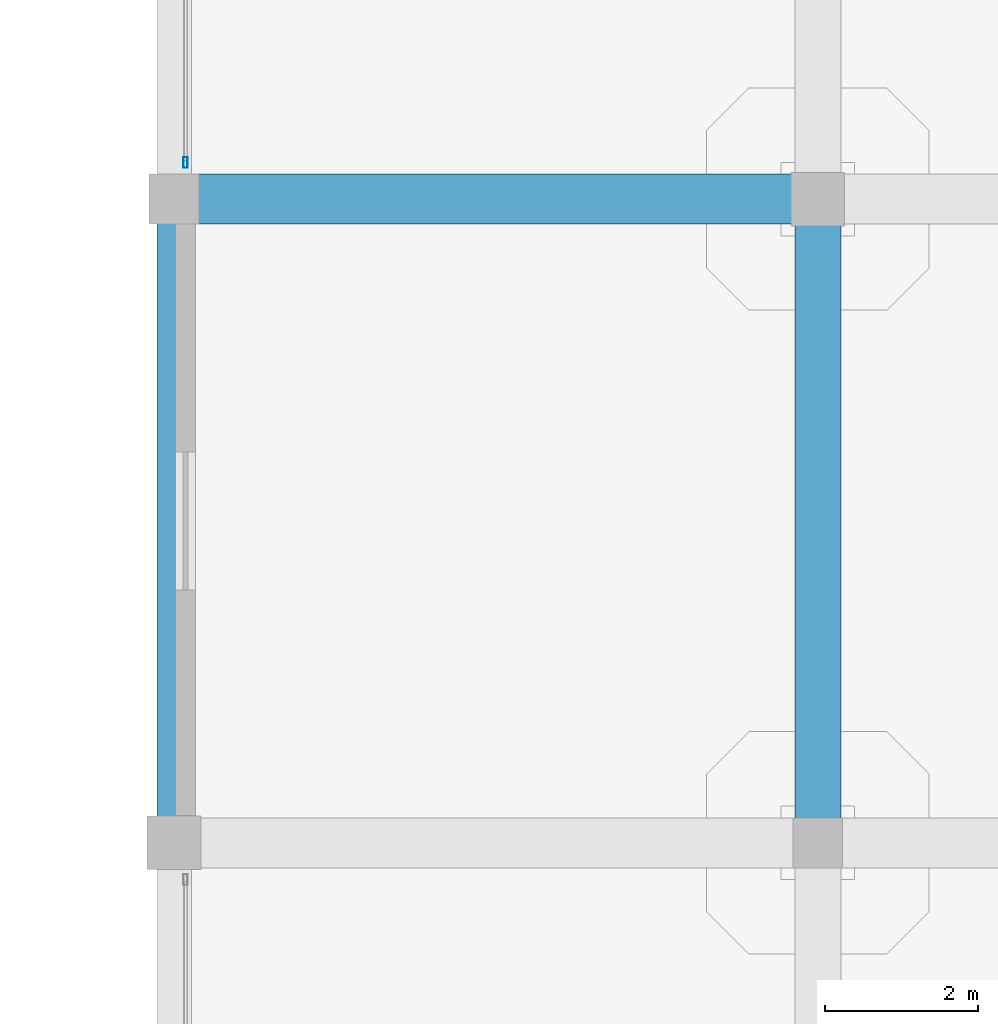
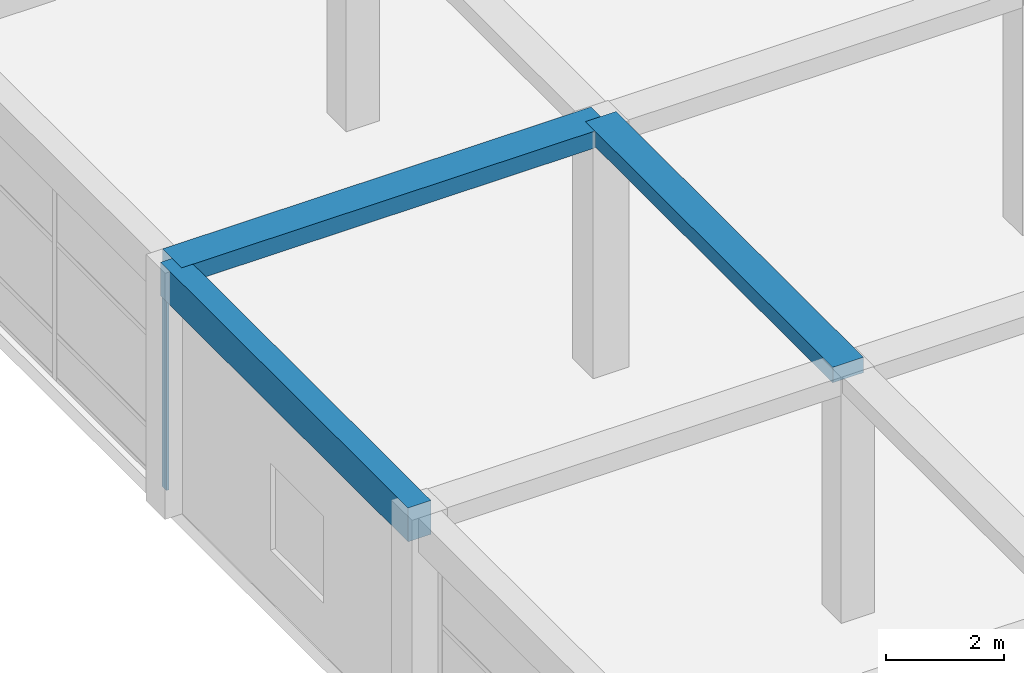
# One storey, part 18 of 95: 3 beams, 1 member, 1 element without a shape of its own.
"""IFC4 building model written with IfcOpenShell, lengths in metres."""

from ifc_helpers import new_model, si_unit, direction, frame, origin, origin_2d, place, context, subcontext, project, spatial, rectangle, hollow_rectangle, extrude, material, material_profile, profile_set, type_object, element, aggregate, save


model = new_model("IFC4")

# Units and contexts
model_context = context("Model", 3, precision=1e-05, world=origin(), true_north=direction((0.0, 1.0)))
body_context = subcontext(model_context, "Body", "Model", "MODEL_VIEW")
ifc_project = project(units=[si_unit("LENGTHUNIT", "METRE"), si_unit("AREAUNIT", "SQUARE_METRE"), si_unit("VOLUMEUNIT", "CUBIC_METRE"), si_unit("PLANEANGLEUNIT", "RADIAN"), si_unit("MASSUNIT", "GRAM", prefix="KILO")], contexts=[model_context])

# Site, building, storey
site_placement = place(None, origin())
site = spatial("IfcSite", under=ifc_project, at=site_placement, CompositionType="ELEMENT")
building_placement = place(site_placement, origin())
building = spatial("IfcBuilding", under=site, at=building_placement, Name="Almacenes y Pasaje Nevantli", CompositionType="ELEMENT")
storey_placement = place(building_placement, frame((0.0, 0.0, 11.39990234375)))
storey = spatial("IfcBuildingStorey", under=building, at=storey_placement, Name="L03", CompositionType="ELEMENT", Elevation=11.39990234375)

# Beams
ifc_material_1 = material(Name="Concrete C35/45", Category="concrete")
ifc_material_profile_1 = material_profile(ifc_material_1, rectangle(XDim=0.449951171875, YDim=0.699951171875, at=origin_2d()), Name="RC-BM-450x700")
ifc_profile_set_1 = profile_set([ifc_material_profile_1], Name="Concrete C35/45")
beam_type_1 = type_object("IfcBeamType", Name="BM-RC-450x700", PredefinedType="SPANDREL", material=ifc_profile_set_1)
beam_1_placement = place(storey_placement, frame((0.0, 33.60009765625, 4.75), z_axis=(0.0, 1.0, 0.0), x_axis=(-1.0, 0.0, 0.0)))
element("IfcBeam", 1, at=beam_1_placement, inside=storey, type_object=beam_type_1, Name="L03 North-South Reinforced Concrete Beam #2481", PredefinedType="SPANDREL", context=body_context, shape_type="SweptSolid", body=[
    extrude(rectangle(XDim=0.449951171875, YDim=0.699951171875, at=origin_2d()), origin(), (0.0, 0.0, 1.0), 8.39990234375),
])
ifc_material_2 = material(Name="Concrete C35/45", Category="concrete")
ifc_material_profile_2 = material_profile(ifc_material_2, rectangle(XDim=0.60009765625, YDim=0.320068359375, at=origin_2d()), Name="RC-BM-600x320")
ifc_profile_set_2 = profile_set([ifc_material_profile_2], Name="Concrete C35/45")
beam_type_2 = type_object("IfcBeamType", Name="BM-RC-600x320", PredefinedType="BEAM", material=ifc_profile_set_2)
beam_2_placement = place(storey_placement, frame((8.39990234375, 33.60009765625, 4.940185546875), z_axis=(0.0, 1.0, 0.0), x_axis=(-1.0, 0.0, 0.0)))
element("IfcBeam", 2, at=beam_2_placement, inside=storey, type_object=beam_type_2, Name="L03 North-South Reinforced Concrete Beam #2492", PredefinedType="BEAM", context=body_context, shape_type="SweptSolid", body=[
    extrude(rectangle(XDim=0.60009765625, YDim=0.320068359375, at=origin_2d()), origin(), (0.0, 0.0, 1.0), 8.39990234375),
])
ifc_material_3 = material(Name="Concrete C35/45", Category="concrete")
ifc_material_profile_3 = material_profile(ifc_material_3, rectangle(XDim=0.64990234375, YDim=0.35009765625, at=origin_2d()), Name="RC-BM-650x350")
ifc_profile_set_3 = profile_set([ifc_material_profile_3], Name="Concrete C35/45")
beam_type_3 = type_object("IfcBeamType", Name="BM-RC-650x350", PredefinedType="BEAM", material=ifc_profile_set_3)
beam_3_placement = place(storey_placement, frame((0.0, 42.0, 4.925048828125), z_axis=(1.0, 0.0, 0.0), x_axis=(0.0, 1.0, 0.0)))
element("IfcBeam", 3, at=beam_3_placement, inside=storey, type_object=beam_type_3, Name="L03 East-West Reinforced Concrete Beam #2316", PredefinedType="BEAM", context=body_context, shape_type="SweptSolid", body=[
    extrude(rectangle(XDim=0.64990234375, YDim=0.35009765625, at=origin_2d()), origin(), (0.0, 0.0, 1.0), 8.39990234375),
])

# Curtain wall, member
ifc_material_4 = material(Name="Thermally Broken Aluminium and Low-E Glass", Category="aluminium")
curtain_wall_type = type_object("IfcCurtainWallType", Name="CW-UNIT-PODIUM", PredefinedType="USERDEFINED", material=ifc_material_4)
curtain_wall_placement = place(storey_placement, origin())
curtain_wall = element("IfcCurtainWall", 4, at=curtain_wall_placement, inside=storey, type_object=curtain_wall_type, Name="L03 West Avenue Unitized Curtain Wall Bay 6", ObjectType="UNITIZED CURTAIN WALL", PredefinedType="USERDEFINED")
ifc_material_5 = material(Name="Thermally Broken Anodized Aluminium", Category="aluminium")
ifc_material_profile_4 = material_profile(ifc_material_5, hollow_rectangle(XDim=0.054931640625, YDim=0.139892578125, WallThickness=0.00341796875, at=origin_2d()), Name="ALU-MUL-55x140")
ifc_profile_set_4 = profile_set([ifc_material_profile_4], Name="Thermally Broken Anodized Aluminium")
member_type = type_object("IfcMemberType", Name="CW-MUL-160", PredefinedType="MULLION", material=ifc_profile_set_4)
member_placement = place(storey_placement, frame((0.14990234375, 42.4775390625, 0.0), z_axis=(0.0, 0.0, 1.0), x_axis=(-1.0, 0.0, 0.0)))
member = element("IfcMember", 5, at=member_placement, type_object=member_type, Name="CW-L03-049 mullion 1", PredefinedType="MULLION", context=body_context, shape_type="SweptSolid", body=[
    extrude(hollow_rectangle(XDim=0.054931640625, YDim=0.139892578125, WallThickness=0.00341796875, at=origin_2d()), origin(), (0.0, 0.0, 1.0), 4.380126953125),
])
aggregate(curtain_wall, [member])

save(model, "model.ifc")
